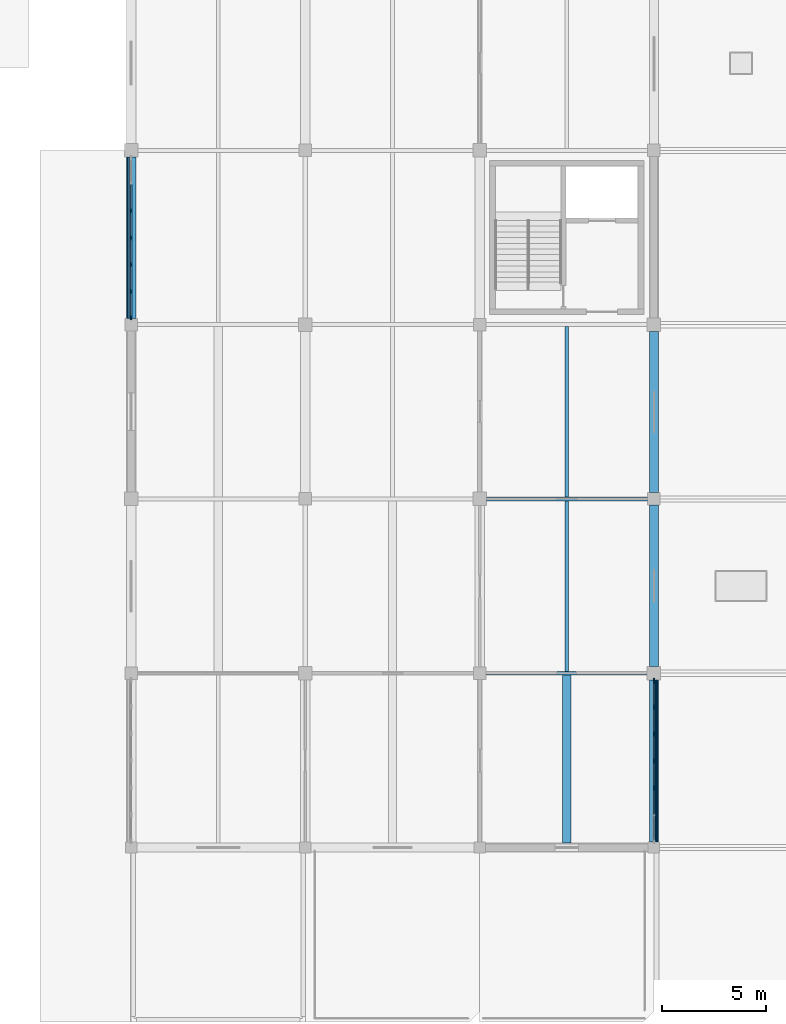
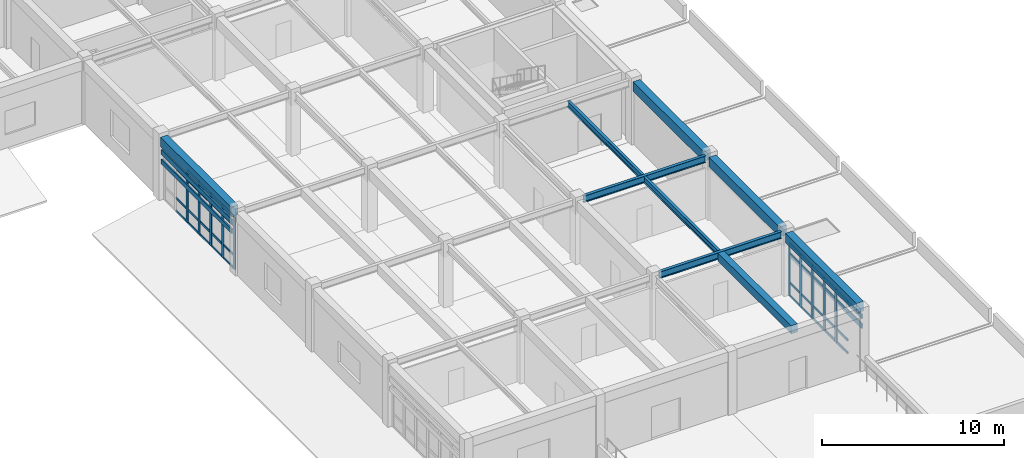
# One storey, part 32 of 78: 54 members, 9 beams, 2 elements without a shape of their own.
"""IFC4 building model written with IfcOpenShell, lengths in metres."""

from ifc_helpers import new_model, si_unit, direction, frame, origin, origin_2d, place, context, subcontext, project, spatial, rectangle, i_section, extrude, material, layer, layer_set, material_profile, profile_set, type_object, element, aggregate, save


model = new_model("IFC4")

# Units and contexts
model_context = context("Model", 3, precision=1e-05, world=origin(), true_north=direction((0.0, 1.0)))
body_context = subcontext(model_context, "Body", "Model", "MODEL_VIEW")
ifc_project = project(units=[si_unit("LENGTHUNIT", "METRE"), si_unit("AREAUNIT", "SQUARE_METRE"), si_unit("VOLUMEUNIT", "CUBIC_METRE"), si_unit("PLANEANGLEUNIT", "RADIAN"), si_unit("MASSUNIT", "GRAM", prefix="KILO")], contexts=[model_context])

# Site, building, storey
site_placement = place(None, origin())
site = spatial("IfcSite", under=ifc_project, at=site_placement, CompositionType="ELEMENT")
building_placement = place(site_placement, origin())
building = spatial("IfcBuilding", under=site, at=building_placement, Name="Porcellanite Civic Hall", CompositionType="ELEMENT")
storey_placement = place(building_placement, frame((0.0, 0.0, 10.260009765625)))
storey = spatial("IfcBuildingStorey", under=building, at=storey_placement, Name="L02", CompositionType="ELEMENT", Elevation=10.260009765625)

# Beams
ifc_material_1 = material(Name="Concrete N50 (50 MPa)", Category="concrete")
ifc_material_profile_1 = material_profile(ifc_material_1, rectangle(XDim=0.39990234375, YDim=0.550048828125, at=origin_2d()), Name="RC-400x550")
ifc_profile_set_1 = profile_set([ifc_material_profile_1], Name="Concrete N50 (50 MPa)")
beam_type_1 = type_object("IfcBeamType", Name="BM-RC550", PredefinedType="JOIST", material=ifc_profile_set_1)
beam_1_placement = place(storey_placement, frame((163.800048828125, 8.62451171875, 3.965087890625), z_axis=(0.0, 1.0, 0.0), x_axis=(-1.0, 0.0, 0.0)))
element("IfcBeam", 1, at=beam_1_placement, inside=storey, type_object=beam_type_1, Name="Secondary joist L02 20-2", PredefinedType="JOIST", context=body_context, shape_type="SweptSolid", body=[
    extrude(rectangle(XDim=0.39990234375, YDim=0.550048828125, at=origin_2d()), origin(), (0.0, 0.0, 1.0), 8.0810546875),
])
ifc_material_2 = material(Name="Concrete N50 (50 MPa)", Category="concrete")
ifc_material_profile_2 = material_profile(ifc_material_2, rectangle(XDim=0.449951171875, YDim=0.64990234375, at=origin_2d()), Name="RC-450x650")
ifc_profile_set_2 = profile_set([ifc_material_profile_2], Name="Concrete N50 (50 MPa)")
beam_type_2 = type_object("IfcBeamType", Name="BM-RC650", PredefinedType="SPANDREL", material=ifc_profile_set_2)
beam_2_placement = place(storey_placement, frame((142.800048828125, 33.8994140625, 3.9150390625), z_axis=(0.0, 1.0, 0.0), x_axis=(-1.0, 0.0, 0.0)))
element("IfcBeam", 2, at=beam_2_placement, inside=storey, type_object=beam_type_2, Name="Beam Y L02 18-5", PredefinedType="SPANDREL", context=body_context, shape_type="SweptSolid", body=[
    extrude(rectangle(XDim=0.449951171875, YDim=0.64990234375, at=origin_2d()), origin(), (0.0, 0.0, 1.0), 7.776123046875),
])
beam_3_placement = place(storey_placement, frame((168.0, 8.674560546875, 3.9150390625), z_axis=(0.0, 1.0, 0.0), x_axis=(-1.0, 0.0, 0.0)))
element("IfcBeam", 3, at=beam_3_placement, inside=storey, type_object=beam_type_2, Name="Beam Y L02 21-2", PredefinedType="SPANDREL", context=body_context, shape_type="SweptSolid", body=[
    extrude(rectangle(XDim=0.449951171875, YDim=0.64990234375, at=origin_2d()), origin(), (0.0, 0.0, 1.0), 7.801025390625),
])
for number, where, z_axis, x_axis, name in (
    (4, (168.0, 17.12451171875, 3.9150390625), (0.0, 1.0, 0.0), (-1.0, 0.0, 0.0), "Beam Y L02 21-3"),
    (5, (168.0, 25.49951171875, 3.9150390625), (0.0, 1.0, 0.0), (-1.0, 0.0, 0.0), "Beam Y L02 21-4"),
):
    element("IfcBeam", number, at=place(storey_placement, frame(where, z_axis=z_axis, x_axis=x_axis)), inside=storey, type_object=beam_type_2, Name=name, PredefinedType="SPANDREL", context=body_context, shape_type="SweptSolid", body=[
        extrude(rectangle(XDim=0.449951171875, YDim=0.64990234375, at=origin_2d()), origin(), (0.0, 0.0, 1.0), 7.77587890625),
    ])

# Curtain wall, members
ifc_material_3 = material(Name="Anodised aluminium and solar laminated glass", Category="aluminium")
ifc_layer = layer(ifc_material_3, 0.179931640625)
ifc_layer_set = layer_set([ifc_layer], Name="Anodised aluminium and solar laminated glass")
curtain_wall_type = type_object("IfcCurtainWallType", Name="CW-SYS02", PredefinedType="NOTDEFINED", material=ifc_layer_set)
curtain_wall_1_placement = place(storey_placement, origin())
curtain_wall_1 = element("IfcCurtainWall", 6, at=curtain_wall_1_placement, inside=storey, type_object=curtain_wall_type, Name="Curtain wall CW-175", PredefinedType="NOTDEFINED")
ifc_material_4 = material(Name="Anodised aluminium 6063-T6", Category="aluminium")
ifc_material_profile_3 = material_profile(ifc_material_4, rectangle(XDim=0.074951171875, YDim=0.219970703125, at=origin_2d()), Name="AL-75x220")
ifc_profile_set_3 = profile_set([ifc_material_profile_3], Name="Anodised aluminium 6063-T6")
member_type_1 = type_object("IfcMemberType", Name="CWM-03", PredefinedType="MULLION", material=ifc_profile_set_3)
member_1_placement = place(storey_placement, frame((142.800048828125, 33.9384765625, 0.0), z_axis=(0.0, 0.0, 1.0), x_axis=(-1.0, 0.0, 0.0)))
member_1 = element("IfcMember", 7, at=member_1_placement, type_object=member_type_1, Name="CW-175 mullion 1", PredefinedType="MULLION", context=body_context, shape_type="SweptSolid", body=[
    extrude(rectangle(XDim=0.074951171875, YDim=0.219970703125, at=origin_2d()), origin(), (0.0, 0.0, 1.0), 3.5400390625),
])
member_2_placement = place(storey_placement, frame((142.800048828125, 35.196533203125, 0.0), z_axis=(0.0, 0.0, 1.0), x_axis=(-1.0, 0.0, 0.0)))
member_2 = element("IfcMember", 8, at=member_2_placement, type_object=member_type_1, Name="CW-175 mullion 2", PredefinedType="MULLION", context=body_context, shape_type="SweptSolid", body=[
    extrude(rectangle(XDim=0.074951171875, YDim=0.219970703125, at=origin_2d()), origin(), (0.0, 0.0, 1.0), 3.5400390625),
])
member_3_placement = place(storey_placement, frame((142.800048828125, 36.491943359375, 0.0), z_axis=(0.0, 0.0, 1.0), x_axis=(-1.0, 0.0, 0.0)))
member_3 = element("IfcMember", 9, at=member_3_placement, type_object=member_type_1, Name="CW-175 mullion 3", PredefinedType="MULLION", context=body_context, shape_type="SweptSolid", body=[
    extrude(rectangle(XDim=0.074951171875, YDim=0.219970703125, at=origin_2d()), origin(), (0.0, 0.0, 1.0), 3.5400390625),
])
member_4_placement = place(storey_placement, frame((142.800048828125, 37.78759765625, 0.0), z_axis=(0.0, 0.0, 1.0), x_axis=(-1.0, 0.0, 0.0)))
member_4 = element("IfcMember", 10, at=member_4_placement, type_object=member_type_1, Name="CW-175 mullion 4", PredefinedType="MULLION", context=body_context, shape_type="SweptSolid", body=[
    extrude(rectangle(XDim=0.074951171875, YDim=0.219970703125, at=origin_2d()), origin(), (0.0, 0.0, 1.0), 3.5400390625),
])
member_5_placement = place(storey_placement, frame((142.800048828125, 39.0830078125, 0.0), z_axis=(0.0, 0.0, 1.0), x_axis=(-1.0, 0.0, 0.0)))
member_5 = element("IfcMember", 11, at=member_5_placement, type_object=member_type_1, Name="CW-175 mullion 5", PredefinedType="MULLION", context=body_context, shape_type="SweptSolid", body=[
    extrude(rectangle(XDim=0.074951171875, YDim=0.219970703125, at=origin_2d()), origin(), (0.0, 0.0, 1.0), 3.5400390625),
])

curtain_wall_2_placement = place(storey_placement, origin())
curtain_wall_2 = element("IfcCurtainWall", 12, at=curtain_wall_2_placement, inside=storey, type_object=curtain_wall_type, Name="Curtain wall CW-181", PredefinedType="NOTDEFINED")
member_6_placement = place(storey_placement, frame((168.0, 16.4365234375, 0.0), z_axis=(0.0, 0.0, 1.0), x_axis=(1.0, 0.0, 0.0)))
member_6 = element("IfcMember", 13, at=member_6_placement, type_object=member_type_1, Name="CW-181 mullion 1", PredefinedType="MULLION", context=body_context, shape_type="SweptSolid", body=[
    extrude(rectangle(XDim=0.074951171875, YDim=0.219970703125, at=origin_2d()), origin(), (0.0, 0.0, 1.0), 3.5400390625),
])
member_7_placement = place(storey_placement, frame((168.0, 15.17431640625, 0.0), z_axis=(0.0, 0.0, 1.0), x_axis=(1.0, 0.0, 0.0)))
member_7 = element("IfcMember", 14, at=member_7_placement, type_object=member_type_1, Name="CW-181 mullion 2", PredefinedType="MULLION", context=body_context, shape_type="SweptSolid", body=[
    extrude(rectangle(XDim=0.074951171875, YDim=0.219970703125, at=origin_2d()), origin(), (0.0, 0.0, 1.0), 3.5400390625),
])
member_8_placement = place(storey_placement, frame((168.0, 13.874755859375, 0.0), z_axis=(0.0, 0.0, 1.0), x_axis=(1.0, 0.0, 0.0)))
member_8 = element("IfcMember", 15, at=member_8_placement, type_object=member_type_1, Name="CW-181 mullion 3", PredefinedType="MULLION", context=body_context, shape_type="SweptSolid", body=[
    extrude(rectangle(XDim=0.074951171875, YDim=0.219970703125, at=origin_2d()), origin(), (0.0, 0.0, 1.0), 3.5400390625),
])
member_9_placement = place(storey_placement, frame((168.0, 12.574951171875, 0.0), z_axis=(0.0, 0.0, 1.0), x_axis=(1.0, 0.0, 0.0)))
member_9 = element("IfcMember", 16, at=member_9_placement, type_object=member_type_1, Name="CW-181 mullion 4", PredefinedType="MULLION", context=body_context, shape_type="SweptSolid", body=[
    extrude(rectangle(XDim=0.074951171875, YDim=0.219970703125, at=origin_2d()), origin(), (0.0, 0.0, 1.0), 3.5400390625),
])
member_10_placement = place(storey_placement, frame((168.0, 11.275390625, 0.0), z_axis=(0.0, 0.0, 1.0), x_axis=(1.0, 0.0, 0.0)))
member_10 = element("IfcMember", 17, at=member_10_placement, type_object=member_type_1, Name="CW-181 mullion 5", PredefinedType="MULLION", context=body_context, shape_type="SweptSolid", body=[
    extrude(rectangle(XDim=0.074951171875, YDim=0.219970703125, at=origin_2d()), origin(), (0.0, 0.0, 1.0), 3.5400390625),
])

# Member
ifc_material_5 = material(Name="Anodised aluminium 6063-T6", Category="aluminium")
ifc_material_profile_4 = material_profile(ifc_material_5, rectangle(XDim=0.06494140625, YDim=0.14990234375, at=origin_2d()), Name="AL-65x150")
ifc_profile_set_4 = profile_set([ifc_material_profile_4], Name="Anodised aluminium 6063-T6")
member_type_2 = type_object("IfcMemberType", Name="CWT-02", PredefinedType="USERDEFINED", material=ifc_profile_set_4)
member_11_placement = place(storey_placement, frame((142.800048828125, 33.97607421875, 0.032470703125), z_axis=(0.0, 1.0, 0.0), x_axis=(-1.0, 0.0, 0.0)))
member_11 = element("IfcMember", 18, at=member_11_placement, type_object=member_type_2, Name="CW-175 transom 1.1", ObjectType="TRANSOM", PredefinedType="USERDEFINED", context=body_context, shape_type="SweptSolid", body=[
    extrude(rectangle(XDim=0.06494140625, YDim=0.14990234375, at=origin_2d()), origin(), (0.0, 0.0, 1.0), 1.182861328125),
])

member_12_placement = place(storey_placement, frame((142.800048828125, 33.97607421875, 0.89990234375), z_axis=(0.0, 1.0, 0.0), x_axis=(-1.0, 0.0, 0.0)))
member_12 = element("IfcMember", 19, at=member_12_placement, type_object=member_type_2, Name="CW-175 transom 1.2", ObjectType="TRANSOM", PredefinedType="USERDEFINED", context=body_context, shape_type="SweptSolid", body=[
    extrude(rectangle(XDim=0.06494140625, YDim=0.14990234375, at=origin_2d()), origin(), (0.0, 0.0, 1.0), 1.182861328125),
])

member_13_placement = place(storey_placement, frame((142.800048828125, 33.97607421875, 2.889892578125), z_axis=(0.0, 1.0, 0.0), x_axis=(-1.0, 0.0, 0.0)))
member_13 = element("IfcMember", 20, at=member_13_placement, type_object=member_type_2, Name="CW-175 transom 1.3", ObjectType="TRANSOM", PredefinedType="USERDEFINED", context=body_context, shape_type="SweptSolid", body=[
    extrude(rectangle(XDim=0.06494140625, YDim=0.14990234375, at=origin_2d()), origin(), (0.0, 0.0, 1.0), 1.182861328125),
])

member_14_placement = place(storey_placement, frame((142.800048828125, 33.97607421875, 3.507568359375), z_axis=(0.0, 1.0, 0.0), x_axis=(-1.0, 0.0, 0.0)))
member_14 = element("IfcMember", 21, at=member_14_placement, type_object=member_type_2, Name="CW-175 transom 1.4", ObjectType="TRANSOM", PredefinedType="USERDEFINED", context=body_context, shape_type="SweptSolid", body=[
    extrude(rectangle(XDim=0.06494140625, YDim=0.14990234375, at=origin_2d()), origin(), (0.0, 0.0, 1.0), 1.182861328125),
])

member_15_placement = place(storey_placement, frame((142.800048828125, 35.23388671875, 0.032470703125), z_axis=(0.0, 1.0, 0.0), x_axis=(-1.0, 0.0, 0.0)))
member_15 = element("IfcMember", 22, at=member_15_placement, type_object=member_type_2, Name="CW-175 transom 2.1", ObjectType="TRANSOM", PredefinedType="USERDEFINED", context=body_context, shape_type="SweptSolid", body=[
    extrude(rectangle(XDim=0.06494140625, YDim=0.14990234375, at=origin_2d()), origin(), (0.0, 0.0, 1.0), 1.220703125),
])

member_16_placement = place(storey_placement, frame((142.800048828125, 35.23388671875, 0.89990234375), z_axis=(0.0, 1.0, 0.0), x_axis=(-1.0, 0.0, 0.0)))
member_16 = element("IfcMember", 23, at=member_16_placement, type_object=member_type_2, Name="CW-175 transom 2.2", ObjectType="TRANSOM", PredefinedType="USERDEFINED", context=body_context, shape_type="SweptSolid", body=[
    extrude(rectangle(XDim=0.06494140625, YDim=0.14990234375, at=origin_2d()), origin(), (0.0, 0.0, 1.0), 1.220703125),
])

member_17_placement = place(storey_placement, frame((142.800048828125, 35.23388671875, 2.889892578125), z_axis=(0.0, 1.0, 0.0), x_axis=(-1.0, 0.0, 0.0)))
member_17 = element("IfcMember", 24, at=member_17_placement, type_object=member_type_2, Name="CW-175 transom 2.3", ObjectType="TRANSOM", PredefinedType="USERDEFINED", context=body_context, shape_type="SweptSolid", body=[
    extrude(rectangle(XDim=0.06494140625, YDim=0.14990234375, at=origin_2d()), origin(), (0.0, 0.0, 1.0), 1.220703125),
])

member_18_placement = place(storey_placement, frame((142.800048828125, 35.23388671875, 3.507568359375), z_axis=(0.0, 1.0, 0.0), x_axis=(-1.0, 0.0, 0.0)))
member_18 = element("IfcMember", 25, at=member_18_placement, type_object=member_type_2, Name="CW-175 transom 2.4", ObjectType="TRANSOM", PredefinedType="USERDEFINED", context=body_context, shape_type="SweptSolid", body=[
    extrude(rectangle(XDim=0.06494140625, YDim=0.14990234375, at=origin_2d()), origin(), (0.0, 0.0, 1.0), 1.220703125),
])

member_19_placement = place(storey_placement, frame((142.800048828125, 36.529541015625, 0.032470703125), z_axis=(0.0, 1.0, 0.0), x_axis=(-1.0, 0.0, 0.0)))
member_19 = element("IfcMember", 26, at=member_19_placement, type_object=member_type_2, Name="CW-175 transom 3.1", ObjectType="TRANSOM", PredefinedType="USERDEFINED", context=body_context, shape_type="SweptSolid", body=[
    extrude(rectangle(XDim=0.06494140625, YDim=0.14990234375, at=origin_2d()), origin(), (0.0, 0.0, 1.0), 1.220458984375),
])

member_20_placement = place(storey_placement, frame((142.800048828125, 36.529541015625, 0.89990234375), z_axis=(0.0, 1.0, 0.0), x_axis=(-1.0, 0.0, 0.0)))
member_20 = element("IfcMember", 27, at=member_20_placement, type_object=member_type_2, Name="CW-175 transom 3.2", ObjectType="TRANSOM", PredefinedType="USERDEFINED", context=body_context, shape_type="SweptSolid", body=[
    extrude(rectangle(XDim=0.06494140625, YDim=0.14990234375, at=origin_2d()), origin(), (0.0, 0.0, 1.0), 1.220458984375),
])

member_21_placement = place(storey_placement, frame((142.800048828125, 36.529541015625, 2.889892578125), z_axis=(0.0, 1.0, 0.0), x_axis=(-1.0, 0.0, 0.0)))
member_21 = element("IfcMember", 28, at=member_21_placement, type_object=member_type_2, Name="CW-175 transom 3.3", ObjectType="TRANSOM", PredefinedType="USERDEFINED", context=body_context, shape_type="SweptSolid", body=[
    extrude(rectangle(XDim=0.06494140625, YDim=0.14990234375, at=origin_2d()), origin(), (0.0, 0.0, 1.0), 1.220458984375),
])

member_22_placement = place(storey_placement, frame((142.800048828125, 36.529541015625, 3.507568359375), z_axis=(0.0, 1.0, 0.0), x_axis=(-1.0, 0.0, 0.0)))
member_22 = element("IfcMember", 29, at=member_22_placement, type_object=member_type_2, Name="CW-175 transom 3.4", ObjectType="TRANSOM", PredefinedType="USERDEFINED", context=body_context, shape_type="SweptSolid", body=[
    extrude(rectangle(XDim=0.06494140625, YDim=0.14990234375, at=origin_2d()), origin(), (0.0, 0.0, 1.0), 1.220458984375),
])

member_23_placement = place(storey_placement, frame((142.800048828125, 37.824951171875, 0.032470703125), z_axis=(0.0, 1.0, 0.0), x_axis=(-1.0, 0.0, 0.0)))
member_23 = element("IfcMember", 30, at=member_23_placement, type_object=member_type_2, Name="CW-175 transom 4.1", ObjectType="TRANSOM", PredefinedType="USERDEFINED", context=body_context, shape_type="SweptSolid", body=[
    extrude(rectangle(XDim=0.06494140625, YDim=0.14990234375, at=origin_2d()), origin(), (0.0, 0.0, 1.0), 1.220458984375),
])

member_24_placement = place(storey_placement, frame((142.800048828125, 37.824951171875, 0.89990234375), z_axis=(0.0, 1.0, 0.0), x_axis=(-1.0, 0.0, 0.0)))
member_24 = element("IfcMember", 31, at=member_24_placement, type_object=member_type_2, Name="CW-175 transom 4.2", ObjectType="TRANSOM", PredefinedType="USERDEFINED", context=body_context, shape_type="SweptSolid", body=[
    extrude(rectangle(XDim=0.06494140625, YDim=0.14990234375, at=origin_2d()), origin(), (0.0, 0.0, 1.0), 1.220458984375),
])

member_25_placement = place(storey_placement, frame((142.800048828125, 37.824951171875, 2.889892578125), z_axis=(0.0, 1.0, 0.0), x_axis=(-1.0, 0.0, 0.0)))
member_25 = element("IfcMember", 32, at=member_25_placement, type_object=member_type_2, Name="CW-175 transom 4.3", ObjectType="TRANSOM", PredefinedType="USERDEFINED", context=body_context, shape_type="SweptSolid", body=[
    extrude(rectangle(XDim=0.06494140625, YDim=0.14990234375, at=origin_2d()), origin(), (0.0, 0.0, 1.0), 1.220458984375),
])

member_26_placement = place(storey_placement, frame((142.800048828125, 37.824951171875, 3.507568359375), z_axis=(0.0, 1.0, 0.0), x_axis=(-1.0, 0.0, 0.0)))
member_26 = element("IfcMember", 33, at=member_26_placement, type_object=member_type_2, Name="CW-175 transom 4.4", ObjectType="TRANSOM", PredefinedType="USERDEFINED", context=body_context, shape_type="SweptSolid", body=[
    extrude(rectangle(XDim=0.06494140625, YDim=0.14990234375, at=origin_2d()), origin(), (0.0, 0.0, 1.0), 1.220458984375),
])

member_27_placement = place(storey_placement, frame((142.800048828125, 39.12060546875, 0.032470703125), z_axis=(0.0, 1.0, 0.0), x_axis=(-1.0, 0.0, 0.0)))
member_27 = element("IfcMember", 34, at=member_27_placement, type_object=member_type_2, Name="CW-175 transom 5.1", ObjectType="TRANSOM", PredefinedType="USERDEFINED", context=body_context, shape_type="SweptSolid", body=[
    extrude(rectangle(XDim=0.06494140625, YDim=0.14990234375, at=origin_2d()), origin(), (0.0, 0.0, 1.0), 1.220458984375),
])

member_28_placement = place(storey_placement, frame((142.800048828125, 39.12060546875, 0.89990234375), z_axis=(0.0, 1.0, 0.0), x_axis=(-1.0, 0.0, 0.0)))
member_28 = element("IfcMember", 35, at=member_28_placement, type_object=member_type_2, Name="CW-175 transom 5.2", ObjectType="TRANSOM", PredefinedType="USERDEFINED", context=body_context, shape_type="SweptSolid", body=[
    extrude(rectangle(XDim=0.06494140625, YDim=0.14990234375, at=origin_2d()), origin(), (0.0, 0.0, 1.0), 1.220458984375),
])

member_29_placement = place(storey_placement, frame((142.800048828125, 39.12060546875, 2.889892578125), z_axis=(0.0, 1.0, 0.0), x_axis=(-1.0, 0.0, 0.0)))
member_29 = element("IfcMember", 36, at=member_29_placement, type_object=member_type_2, Name="CW-175 transom 5.3", ObjectType="TRANSOM", PredefinedType="USERDEFINED", context=body_context, shape_type="SweptSolid", body=[
    extrude(rectangle(XDim=0.06494140625, YDim=0.14990234375, at=origin_2d()), origin(), (0.0, 0.0, 1.0), 1.220458984375),
])

aggregate(curtain_wall_1, [member_1, member_2, member_3, member_4, member_5, member_11, member_12, member_13, member_14, member_15, member_16, member_17, member_18, member_19, member_20, member_21, member_22, member_23, member_24, member_25, member_26, member_27, member_28, member_29])

member_30_placement = place(storey_placement, frame((168.0, 16.39892578125, 0.032470703125), z_axis=(0.0, -1.0, 0.0), x_axis=(1.0, 0.0, 0.0)))
member_30 = element("IfcMember", 37, at=member_30_placement, type_object=member_type_2, Name="CW-181 transom 1.1", ObjectType="TRANSOM", PredefinedType="USERDEFINED", context=body_context, shape_type="SweptSolid", body=[
    extrude(rectangle(XDim=0.06494140625, YDim=0.14990234375, at=origin_2d()), origin(), (0.0, 0.0, 1.0), 1.18701171875),
])

member_31_placement = place(storey_placement, frame((168.0, 16.39892578125, 0.89990234375), z_axis=(0.0, -1.0, 0.0), x_axis=(1.0, 0.0, 0.0)))
member_31 = element("IfcMember", 38, at=member_31_placement, type_object=member_type_2, Name="CW-181 transom 1.2", ObjectType="TRANSOM", PredefinedType="USERDEFINED", context=body_context, shape_type="SweptSolid", body=[
    extrude(rectangle(XDim=0.06494140625, YDim=0.14990234375, at=origin_2d()), origin(), (0.0, 0.0, 1.0), 1.18701171875),
])

member_32_placement = place(storey_placement, frame((168.0, 16.39892578125, 2.889892578125), z_axis=(0.0, -1.0, 0.0), x_axis=(1.0, 0.0, 0.0)))
member_32 = element("IfcMember", 39, at=member_32_placement, type_object=member_type_2, Name="CW-181 transom 1.3", ObjectType="TRANSOM", PredefinedType="USERDEFINED", context=body_context, shape_type="SweptSolid", body=[
    extrude(rectangle(XDim=0.06494140625, YDim=0.14990234375, at=origin_2d()), origin(), (0.0, 0.0, 1.0), 1.18701171875),
])

member_33_placement = place(storey_placement, frame((168.0, 16.39892578125, 3.507568359375), z_axis=(0.0, -1.0, 0.0), x_axis=(1.0, 0.0, 0.0)))
member_33 = element("IfcMember", 40, at=member_33_placement, type_object=member_type_2, Name="CW-181 transom 1.4", ObjectType="TRANSOM", PredefinedType="USERDEFINED", context=body_context, shape_type="SweptSolid", body=[
    extrude(rectangle(XDim=0.06494140625, YDim=0.14990234375, at=origin_2d()), origin(), (0.0, 0.0, 1.0), 1.18701171875),
])

member_34_placement = place(storey_placement, frame((168.0, 15.13671875, 0.032470703125), z_axis=(0.0, -1.0, 0.0), x_axis=(1.0, 0.0, 0.0)))
member_34 = element("IfcMember", 41, at=member_34_placement, type_object=member_type_2, Name="CW-181 transom 2.1", ObjectType="TRANSOM", PredefinedType="USERDEFINED", context=body_context, shape_type="SweptSolid", body=[
    extrude(rectangle(XDim=0.06494140625, YDim=0.14990234375, at=origin_2d()), origin(), (0.0, 0.0, 1.0), 1.224609375),
])

member_35_placement = place(storey_placement, frame((168.0, 15.13671875, 0.89990234375), z_axis=(0.0, -1.0, 0.0), x_axis=(1.0, 0.0, 0.0)))
member_35 = element("IfcMember", 42, at=member_35_placement, type_object=member_type_2, Name="CW-181 transom 2.2", ObjectType="TRANSOM", PredefinedType="USERDEFINED", context=body_context, shape_type="SweptSolid", body=[
    extrude(rectangle(XDim=0.06494140625, YDim=0.14990234375, at=origin_2d()), origin(), (0.0, 0.0, 1.0), 1.224609375),
])

member_36_placement = place(storey_placement, frame((168.0, 15.13671875, 2.889892578125), z_axis=(0.0, -1.0, 0.0), x_axis=(1.0, 0.0, 0.0)))
member_36 = element("IfcMember", 43, at=member_36_placement, type_object=member_type_2, Name="CW-181 transom 2.3", ObjectType="TRANSOM", PredefinedType="USERDEFINED", context=body_context, shape_type="SweptSolid", body=[
    extrude(rectangle(XDim=0.06494140625, YDim=0.14990234375, at=origin_2d()), origin(), (0.0, 0.0, 1.0), 1.224609375),
])

member_37_placement = place(storey_placement, frame((168.0, 15.13671875, 3.507568359375), z_axis=(0.0, -1.0, 0.0), x_axis=(1.0, 0.0, 0.0)))
member_37 = element("IfcMember", 44, at=member_37_placement, type_object=member_type_2, Name="CW-181 transom 2.4", ObjectType="TRANSOM", PredefinedType="USERDEFINED", context=body_context, shape_type="SweptSolid", body=[
    extrude(rectangle(XDim=0.06494140625, YDim=0.14990234375, at=origin_2d()), origin(), (0.0, 0.0, 1.0), 1.224609375),
])

member_38_placement = place(storey_placement, frame((168.0, 13.837158203125, 0.032470703125), z_axis=(0.0, -1.0, 0.0), x_axis=(1.0, 0.0, 0.0)))
member_38 = element("IfcMember", 45, at=member_38_placement, type_object=member_type_2, Name="CW-181 transom 3.1", ObjectType="TRANSOM", PredefinedType="USERDEFINED", context=body_context, shape_type="SweptSolid", body=[
    extrude(rectangle(XDim=0.06494140625, YDim=0.14990234375, at=origin_2d()), origin(), (0.0, 0.0, 1.0), 1.224609375),
])

member_39_placement = place(storey_placement, frame((168.0, 13.837158203125, 0.89990234375), z_axis=(0.0, -1.0, 0.0), x_axis=(1.0, 0.0, 0.0)))
member_39 = element("IfcMember", 46, at=member_39_placement, type_object=member_type_2, Name="CW-181 transom 3.2", ObjectType="TRANSOM", PredefinedType="USERDEFINED", context=body_context, shape_type="SweptSolid", body=[
    extrude(rectangle(XDim=0.06494140625, YDim=0.14990234375, at=origin_2d()), origin(), (0.0, 0.0, 1.0), 1.224609375),
])

member_40_placement = place(storey_placement, frame((168.0, 13.837158203125, 2.889892578125), z_axis=(0.0, -1.0, 0.0), x_axis=(1.0, 0.0, 0.0)))
member_40 = element("IfcMember", 47, at=member_40_placement, type_object=member_type_2, Name="CW-181 transom 3.3", ObjectType="TRANSOM", PredefinedType="USERDEFINED", context=body_context, shape_type="SweptSolid", body=[
    extrude(rectangle(XDim=0.06494140625, YDim=0.14990234375, at=origin_2d()), origin(), (0.0, 0.0, 1.0), 1.224609375),
])

member_41_placement = place(storey_placement, frame((168.0, 13.837158203125, 3.507568359375), z_axis=(0.0, -1.0, 0.0), x_axis=(1.0, 0.0, 0.0)))
member_41 = element("IfcMember", 48, at=member_41_placement, type_object=member_type_2, Name="CW-181 transom 3.4", ObjectType="TRANSOM", PredefinedType="USERDEFINED", context=body_context, shape_type="SweptSolid", body=[
    extrude(rectangle(XDim=0.06494140625, YDim=0.14990234375, at=origin_2d()), origin(), (0.0, 0.0, 1.0), 1.224609375),
])

member_42_placement = place(storey_placement, frame((168.0, 12.53759765625, 0.032470703125), z_axis=(0.0, -1.0, 0.0), x_axis=(1.0, 0.0, 0.0)))
member_42 = element("IfcMember", 49, at=member_42_placement, type_object=member_type_2, Name="CW-181 transom 4.1", ObjectType="TRANSOM", PredefinedType="USERDEFINED", context=body_context, shape_type="SweptSolid", body=[
    extrude(rectangle(XDim=0.06494140625, YDim=0.14990234375, at=origin_2d()), origin(), (0.0, 0.0, 1.0), 1.224853515625),
])

member_43_placement = place(storey_placement, frame((168.0, 12.53759765625, 0.89990234375), z_axis=(0.0, -1.0, 0.0), x_axis=(1.0, 0.0, 0.0)))
member_43 = element("IfcMember", 50, at=member_43_placement, type_object=member_type_2, Name="CW-181 transom 4.2", ObjectType="TRANSOM", PredefinedType="USERDEFINED", context=body_context, shape_type="SweptSolid", body=[
    extrude(rectangle(XDim=0.06494140625, YDim=0.14990234375, at=origin_2d()), origin(), (0.0, 0.0, 1.0), 1.224853515625),
])

member_44_placement = place(storey_placement, frame((168.0, 12.53759765625, 2.889892578125), z_axis=(0.0, -1.0, 0.0), x_axis=(1.0, 0.0, 0.0)))
member_44 = element("IfcMember", 51, at=member_44_placement, type_object=member_type_2, Name="CW-181 transom 4.3", ObjectType="TRANSOM", PredefinedType="USERDEFINED", context=body_context, shape_type="SweptSolid", body=[
    extrude(rectangle(XDim=0.06494140625, YDim=0.14990234375, at=origin_2d()), origin(), (0.0, 0.0, 1.0), 1.224853515625),
])

member_45_placement = place(storey_placement, frame((168.0, 12.53759765625, 3.507568359375), z_axis=(0.0, -1.0, 0.0), x_axis=(1.0, 0.0, 0.0)))
member_45 = element("IfcMember", 52, at=member_45_placement, type_object=member_type_2, Name="CW-181 transom 4.4", ObjectType="TRANSOM", PredefinedType="USERDEFINED", context=body_context, shape_type="SweptSolid", body=[
    extrude(rectangle(XDim=0.06494140625, YDim=0.14990234375, at=origin_2d()), origin(), (0.0, 0.0, 1.0), 1.224853515625),
])

member_46_placement = place(storey_placement, frame((168.0, 11.23779296875, 0.032470703125), z_axis=(0.0, -1.0, 0.0), x_axis=(1.0, 0.0, 0.0)))
member_46 = element("IfcMember", 53, at=member_46_placement, type_object=member_type_2, Name="CW-181 transom 5.1", ObjectType="TRANSOM", PredefinedType="USERDEFINED", context=body_context, shape_type="SweptSolid", body=[
    extrude(rectangle(XDim=0.06494140625, YDim=0.14990234375, at=origin_2d()), origin(), (0.0, 0.0, 1.0), 1.224609375),
])

member_47_placement = place(storey_placement, frame((168.0, 11.23779296875, 0.89990234375), z_axis=(0.0, -1.0, 0.0), x_axis=(1.0, 0.0, 0.0)))
member_47 = element("IfcMember", 54, at=member_47_placement, type_object=member_type_2, Name="CW-181 transom 5.2", ObjectType="TRANSOM", PredefinedType="USERDEFINED", context=body_context, shape_type="SweptSolid", body=[
    extrude(rectangle(XDim=0.06494140625, YDim=0.14990234375, at=origin_2d()), origin(), (0.0, 0.0, 1.0), 1.224609375),
])

member_48_placement = place(storey_placement, frame((168.0, 11.23779296875, 2.889892578125), z_axis=(0.0, -1.0, 0.0), x_axis=(1.0, 0.0, 0.0)))
member_48 = element("IfcMember", 55, at=member_48_placement, type_object=member_type_2, Name="CW-181 transom 5.3", ObjectType="TRANSOM", PredefinedType="USERDEFINED", context=body_context, shape_type="SweptSolid", body=[
    extrude(rectangle(XDim=0.06494140625, YDim=0.14990234375, at=origin_2d()), origin(), (0.0, 0.0, 1.0), 1.224609375),
])

member_49_placement = place(storey_placement, frame((168.0, 11.23779296875, 3.507568359375), z_axis=(0.0, -1.0, 0.0), x_axis=(1.0, 0.0, 0.0)))
member_49 = element("IfcMember", 56, at=member_49_placement, type_object=member_type_2, Name="CW-181 transom 5.4", ObjectType="TRANSOM", PredefinedType="USERDEFINED", context=body_context, shape_type="SweptSolid", body=[
    extrude(rectangle(XDim=0.06494140625, YDim=0.14990234375, at=origin_2d()), origin(), (0.0, 0.0, 1.0), 1.224609375),
])

member_50_placement = place(storey_placement, frame((168.0, 9.938232421875, 3.507568359375), z_axis=(0.0, -1.0, 0.0), x_axis=(1.0, 0.0, 0.0)))
member_50 = element("IfcMember", 57, at=member_50_placement, type_object=member_type_2, Name="CW-181 transom 6.4", ObjectType="TRANSOM", PredefinedType="USERDEFINED", context=body_context, shape_type="SweptSolid", body=[
    extrude(rectangle(XDim=0.06494140625, YDim=0.14990234375, at=origin_2d()), origin(), (0.0, 0.0, 1.0), 1.187255859375),
])

aggregate(curtain_wall_2, [member_6, member_7, member_8, member_9, member_10, member_30, member_31, member_32, member_33, member_34, member_35, member_36, member_37, member_38, member_39, member_40, member_41, member_42, member_43, member_44, member_45, member_46, member_47, member_48, member_49, member_50])

# Beams
ifc_material_6 = material(Name="Steel Grade 350", Category="steel")
ifc_material_profile_5 = material_profile(ifc_material_6, i_section(OverallWidth=0.177978515625, OverallDepth=0.403076171875, WebThickness=0.007568359375, FlangeThickness=0.010986328125, FilletRadius=0.011474609375, at=origin_2d()), Name="410UB53.7")
ifc_profile_set_5 = profile_set([ifc_material_profile_5], Name="Steel Grade 350")
beam_type_3 = type_object("IfcBeamType", Name="JST-410UB54", PredefinedType="JOIST", material=ifc_profile_set_5)
beam_4_placement = place(storey_placement, frame((163.800048828125, 25.29443359375, 4.03857421875), z_axis=(0.0, 1.0, 0.0), x_axis=(-1.0, 0.0, 0.0)))
element("IfcBeam", 58, at=beam_4_placement, inside=storey, type_object=beam_type_3, Name="Secondary joist L02 20-4", PredefinedType="JOIST", context=body_context, shape_type="SweptSolid", body=[
    extrude(i_section(OverallWidth=0.177978515625, OverallDepth=0.403076171875, WebThickness=0.007568359375, FlangeThickness=0.010986328125, FilletRadius=0.011474609375, at=origin_2d()), origin(), (0.0, 0.0, 1.0), 8.211181640625),
])
ifc_material_7 = material(Name="Steel Grade 350", Category="steel")
ifc_material_profile_6 = material_profile(ifc_material_7, i_section(OverallWidth=0.177978515625, OverallDepth=0.406005859375, WebThickness=0.0078125, FlangeThickness=0.0126953125, FilletRadius=0.011474609375, at=origin_2d()), Name="410UB59.7")
ifc_profile_set_6 = profile_set([ifc_material_profile_6], Name="Steel Grade 350")
beam_type_4 = type_object("IfcBeamType", Name="JST-410UB60", PredefinedType="JOIST", material=ifc_profile_set_6)
beam_5_placement = place(storey_placement, frame((163.800048828125, 16.89453125, 4.037109375), z_axis=(0.0, 1.0, 0.0), x_axis=(-1.0, 0.0, 0.0)))
element("IfcBeam", 59, at=beam_5_placement, inside=storey, type_object=beam_type_4, Name="Secondary joist L02 20-3", PredefinedType="JOIST", context=body_context, shape_type="SweptSolid", body=[
    extrude(i_section(OverallWidth=0.177978515625, OverallDepth=0.406005859375, WebThickness=0.0078125, FlangeThickness=0.0126953125, FilletRadius=0.011474609375, at=origin_2d()), origin(), (0.0, 0.0, 1.0), 8.2109375),
])

# Members
ifc_material_8 = material(Name="Fluoropolymer bauxite-red aluminium 6063-T6", Category="aluminium")
ifc_material_profile_7 = material_profile(ifc_material_8, rectangle(XDim=0.080078125, YDim=0.320068359375, at=origin_2d()), Name="AL-80x320")
ifc_profile_set_7 = profile_set([ifc_material_profile_7], Name="Fluoropolymer bauxite-red aluminium 6063-T6")
member_type_3 = type_object("IfcMemberType", Name="LV-BLD03", PredefinedType="USERDEFINED", material=ifc_profile_set_7)
for number, where, z_axis, x_axis, name in (
    (60, (142.64794921875, 33.8994140625, 3.239990234375), (0.0, 1.0, 0.0), (-1.0, 0.0, 0.0), "Cyclone sunshade louvre L02 W 17-4 1"),
    (61, (142.64794921875, 33.8994140625, 2.590087890625), (0.0, 1.0, 0.0), (-1.0, 0.0, 0.0), "Cyclone sunshade louvre L02 W 17-4 2"),
):
    element("IfcMember", number, at=place(storey_placement, frame(where, z_axis=z_axis, x_axis=x_axis)), inside=storey, type_object=member_type_3, Name=name, ObjectType="LOUVRE BLADE", PredefinedType="USERDEFINED", context=body_context, shape_type="SweptSolid", body=[
        extrude(rectangle(XDim=0.080078125, YDim=0.320068359375, at=origin_2d()), origin(), (0.0, 0.0, 1.0), 7.776123046875),
    ])
for number, where, z_axis, x_axis, name in (
    (62, (168.152099609375, 16.4755859375, 3.239990234375), (0.0, -1.0, 0.0), (1.0, 0.0, 0.0), "Cyclone sunshade louvre L02 E 19-1 1"),
    (63, (168.152099609375, 16.4755859375, 2.590087890625), (0.0, -1.0, 0.0), (1.0, 0.0, 0.0), "Cyclone sunshade louvre L02 E 19-1 2"),
):
    element("IfcMember", number, at=place(storey_placement, frame(where, z_axis=z_axis, x_axis=x_axis)), inside=storey, type_object=member_type_3, Name=name, ObjectType="LOUVRE BLADE", PredefinedType="USERDEFINED", context=body_context, shape_type="SweptSolid", body=[
        extrude(rectangle(XDim=0.080078125, YDim=0.320068359375, at=origin_2d()), origin(), (0.0, 0.0, 1.0), 7.801025390625),
    ])

# Beams
ifc_material_9 = material(Name="Steel Grade 350", Category="steel")
ifc_material_profile_8 = material_profile(ifc_material_9, i_section(OverallWidth=0.18994140625, OverallDepth=0.4541015625, WebThickness=0.008544921875, FlangeThickness=0.0126953125, FilletRadius=0.011474609375, at=origin_2d()), Name="460UB67.1")
ifc_profile_set_8 = profile_set([ifc_material_profile_8], Name="Steel Grade 350")
beam_type_5 = type_object("IfcBeamType", Name="RAF-460UB67", PredefinedType="BEAM", material=ifc_profile_set_8)
beam_6_placement = place(storey_placement, frame((159.8994140625, 16.800048828125, 4.012939453125), z_axis=(1.0, 0.0, 0.0), x_axis=(0.0, 1.0, 0.0)))
element("IfcBeam", 64, at=beam_6_placement, inside=storey, type_object=beam_type_5, Name="Beam X L02 20-3", PredefinedType="BEAM", context=body_context, shape_type="SweptSolid", body=[
    extrude(i_section(OverallWidth=0.18994140625, OverallDepth=0.4541015625, WebThickness=0.008544921875, FlangeThickness=0.0126953125, FilletRadius=0.011474609375, at=origin_2d()), origin(), (0.0, 0.0, 1.0), 7.776123046875),
])
beam_7_placement = place(storey_placement, frame((159.924560546875, 25.199951171875, 4.012939453125), z_axis=(1.0, 0.0, 0.0), x_axis=(0.0, 1.0, 0.0)))
element("IfcBeam", 65, at=beam_7_placement, inside=storey, type_object=beam_type_5, Name="Beam X L02 20-4", PredefinedType="BEAM", context=body_context, shape_type="SweptSolid", body=[
    extrude(i_section(OverallWidth=0.18994140625, OverallDepth=0.4541015625, WebThickness=0.008544921875, FlangeThickness=0.0126953125, FilletRadius=0.011474609375, at=origin_2d()), origin(), (0.0, 0.0, 1.0), 7.77587890625),
])

save(model, "model.ifc")
